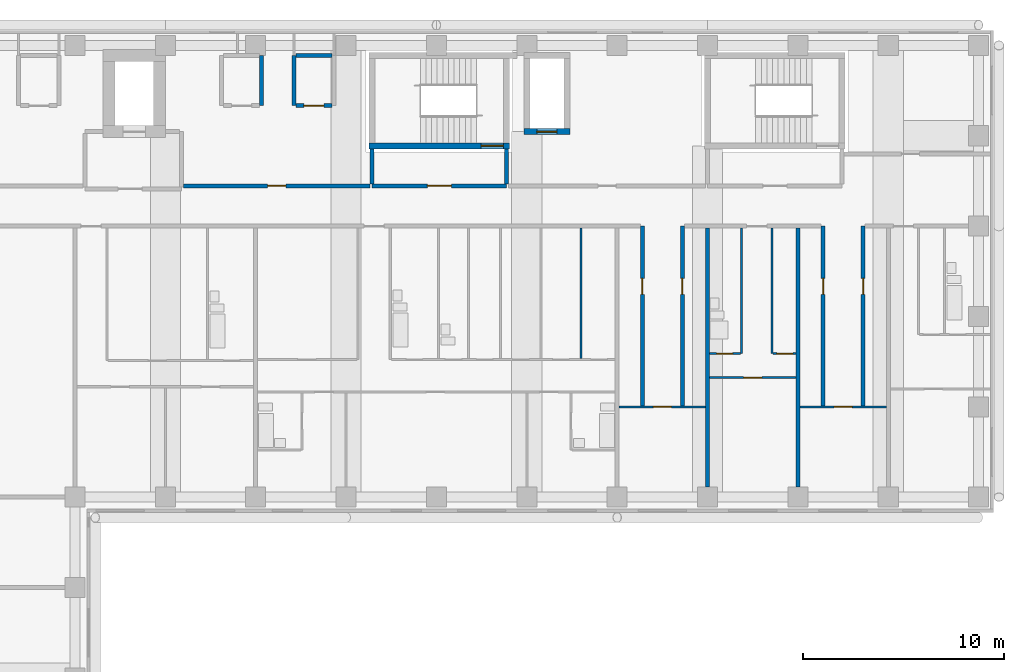
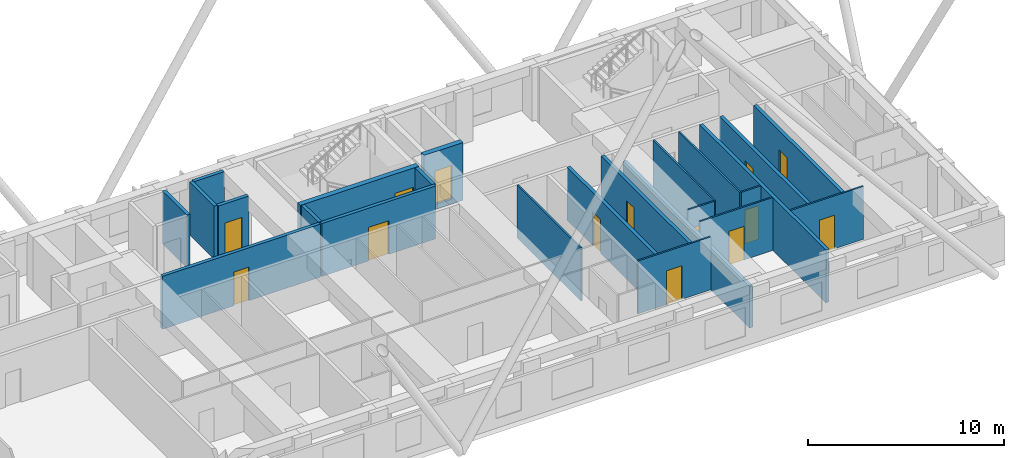
# One storey, part 8 of 13: 24 walls, 14 doors, 14 openings.
"""IFC4 building model written with IfcOpenShell, lengths in metres."""

from ifc_helpers import new_model, si_unit, direction, frame, frame_2d, origin, place, context, subcontext, project, spatial, rectangle, extrude, material, layer, layer_set, type_object, element, fill, save


model = new_model("IFC4")

# Units and contexts
model_context = context("Model", 3, precision=1e-05, world=origin(), true_north=direction((0.0, 1.0)))
body_context = subcontext(model_context, "Body", "Model", "MODEL_VIEW")
ifc_project = project(units=[si_unit("LENGTHUNIT", "METRE"), si_unit("AREAUNIT", "SQUARE_METRE"), si_unit("VOLUMEUNIT", "CUBIC_METRE"), si_unit("PLANEANGLEUNIT", "RADIAN"), si_unit("MASSUNIT", "GRAM", prefix="KILO")], contexts=[model_context])

# Site, building, storey
site_placement = place(None, origin())
site = spatial("IfcSite", under=ifc_project, at=site_placement, CompositionType="ELEMENT")
building_placement = place(site_placement, origin())
building = spatial("IfcBuilding", under=site, at=building_placement, Name="Firuza Court", CompositionType="ELEMENT")
storey_placement = place(building_placement, frame((0.0, 0.0, 119.60009765625)))
storey = spatial("IfcBuildingStorey", under=building, at=storey_placement, Name="L29", CompositionType="ELEMENT", Elevation=119.60009765625)

# Wall
ifc_material_1 = material(Name="Moisture-resistant gypsum board partition")
ifc_layer_1 = layer(ifc_material_1, 0.10009765625)
ifc_layer_set_1 = layer_set([ifc_layer_1], Name="Moisture-resistant gypsum board partition")
wall_type_1 = type_object("IfcWallType", Name="Bathroom partition 100", PredefinedType="PLUMBINGWALL", material=ifc_layer_set_1)
wall_1_placement = place(storey_placement, frame((55.699951171875, 43.14990234375, 0.0), z_axis=(0.0, 0.0, 1.0), x_axis=(0.0, 1.0, 0.0)))
element("IfcWall", 1, at=wall_1_placement, inside=storey, type_object=wall_type_1, Name="Bathroom partition 100 L29", PredefinedType="PLUMBINGWALL", context=body_context, shape_type="SweptSolid", body=[
    extrude(rectangle(XDim=6.25, YDim=0.10009765625, at=frame_2d((3.125, 0.0))), origin(), (0.0, 0.0, 1.0), 3.2998046875),
])

# Wall, opening, door
ifc_material_2 = material(Name="Concrete C60/75", Category="concrete")
ifc_layer_2 = layer(ifc_material_2, 0.300048828125)
ifc_layer_set_2 = layer_set([ifc_layer_2], Name="Concrete C60/75")
wall_type_2 = type_object("IfcWallType", Name="Core wall 300 C60/75", PredefinedType="SHEAR", material=ifc_layer_set_2)
wall_2_placement = place(storey_placement, frame((37.14990234375, 53.5, -0.300048828125), z_axis=(0.0, 0.0, 1.0), x_axis=(1.0, 0.0, 0.0)))
wall_2 = element("IfcWall", 2, at=wall_2_placement, inside=storey, type_object=wall_type_2, Name="Core wall stair L29", PredefinedType="SHEAR", context=body_context, shape_type="SweptSolid", body=[
    extrude(rectangle(XDim=7.0, YDim=0.300048828125, at=frame_2d((3.5, 0.0))), origin(), (0.0, 0.0, 1.0), 3.599853515625),
])
opening_1_placement = place(wall_2_placement, frame((5.580078125, 0.0, 0.300048828125)))
opening_1 = element("IfcOpeningElement", 3, at=opening_1_placement, cuts=wall_2, Name="Opening D29012", PredefinedType="OPENING", context=body_context, shape_type="SweptSolid", body=[
    extrude(rectangle(XDim=1.10009765625, YDim=2.10009765625, at=frame_2d((0.550048828125, 1.050048828125))), frame((0.0, 0.162109375, 0.0), z_axis=(0.0, -1.0, 0.0), x_axis=(1.0, 0.0, 0.0)), (0.0, 0.0, 1.0), 0.323974609375),
])
ifc_material_3 = material(Name="Timber door leaf in hardwood frame", Category="wood")
door_type_1 = type_object("IfcDoorType", Name="Stair door 1100", OperationType="SINGLE_SWING_LEFT", PredefinedType="DOOR", material=ifc_material_3)
door_1_placement = place(opening_1_placement, origin())
door_1 = element("IfcDoor", 4, at=door_1_placement, inside=storey, type_object=door_type_1, Name="Stair door S1", OperationType="SINGLE_SWING_RIGHT", OverallHeight=2.10009765625, OverallWidth=1.10009765625, PredefinedType="DOOR", context=body_context, shape_type="SweptSolid", body=[
    extrude(rectangle(XDim=1.10009765625, YDim=2.10009765625, at=frame_2d((0.550048828125, 1.050048828125))), frame((0.0, 0.02490234375, 0.0), z_axis=(0.0, -1.0, 0.0), x_axis=(1.0, 0.0, 0.0)), (0.0, 0.0, 1.0), 0.050048828125),
])
fill(opening_1, door_1)

wall_3_placement = place(storey_placement, frame((44.85009765625, 54.199951171875, -0.300048828125), z_axis=(0.0, 0.0, 1.0), x_axis=(1.0, 0.0, 0.0)))
wall_3 = element("IfcWall", 5, at=wall_3_placement, inside=storey, type_object=wall_type_2, Name="Core wall riser L29", PredefinedType="SHEAR", context=body_context, shape_type="SweptSolid", body=[
    extrude(rectangle(XDim=2.2998046875, YDim=0.300048828125, at=frame_2d((1.14990234375, 0.0))), origin(), (0.0, 0.0, 1.0), 3.599853515625),
])
opening_2_placement = place(wall_3_placement, frame((0.64990234375, 0.0, 0.300048828125)))
opening_2 = element("IfcOpeningElement", 6, at=opening_2_placement, cuts=wall_3, Name="Opening D29010", PredefinedType="OPENING", context=body_context, shape_type="SweptSolid", body=[
    extrude(rectangle(XDim=1.0, YDim=2.10009765625, at=frame_2d((0.5, 1.050048828125))), frame((0.0, 0.162109375, 0.0), z_axis=(0.0, -1.0, 0.0), x_axis=(1.0, 0.0, 0.0)), (0.0, 0.0, 1.0), 0.323974609375),
])
ifc_material_4 = material(Name="Timber door leaf in hardwood frame", Category="wood")
door_type_2 = type_object("IfcDoorType", Name="Riser door 1000", OperationType="SINGLE_SWING_LEFT", PredefinedType="DOOR", material=ifc_material_4)
door_2_placement = place(opening_2_placement, origin())
door_2 = element("IfcDoor", 7, at=door_2_placement, inside=storey, type_object=door_type_2, Name="Riser door R3", OperationType="SINGLE_SWING_LEFT", OverallHeight=2.10009765625, OverallWidth=1.0, PredefinedType="DOOR", context=body_context, shape_type="SweptSolid", body=[
    extrude(rectangle(XDim=1.0, YDim=2.10009765625, at=frame_2d((0.5, 1.050048828125))), frame((0.0, 0.02490234375, 0.0), z_axis=(0.0, -1.0, 0.0), x_axis=(1.0, 0.0, 0.0)), (0.0, 0.0, 1.0), 0.050048828125),
])
fill(opening_2, door_2)

ifc_material_5 = material(Name="Blockwork, plastered both sides", Category="masonry")
ifc_layer_3 = layer(ifc_material_5, 0.199951171875)
ifc_layer_set_3 = layer_set([ifc_layer_3], Name="Blockwork, plastered both sides")
wall_type_3 = type_object("IfcWallType", Name="Corridor wall 200", PredefinedType="PARTITIONING", material=ifc_layer_set_3)
wall_4_placement = place(storey_placement, frame((50.75, 40.550048828125, 0.0), z_axis=(0.0, 0.0, 1.0), x_axis=(0.0, 1.0, 0.0)))
wall_4 = element("IfcWall", 8, at=wall_4_placement, inside=storey, type_object=wall_type_3, Name="Corridor wall 200 L29", PredefinedType="PARTITIONING", context=body_context, shape_type="SweptSolid", body=[
    extrude(rectangle(XDim=8.949951171875, YDim=0.199951171875, at=frame_2d((4.47509765625, 0.0))), origin(), (0.0, 0.0, 1.0), 3.2998046875),
])
opening_3_placement = place(wall_4_placement, frame((5.550048828125, 0.0, 0.0)))
opening_3 = element("IfcOpeningElement", 9, at=opening_3_placement, cuts=wall_4, Name="Opening D29042", PredefinedType="OPENING", context=body_context, shape_type="SweptSolid", body=[
    extrude(rectangle(XDim=0.800048828125, YDim=2.10009765625, at=frame_2d((0.39990234375, 1.050048828125))), frame((0.0, 0.11181640625, 0.0), z_axis=(0.0, -1.0, 0.0), x_axis=(1.0, 0.0, 0.0)), (0.0, 0.0, 1.0), 0.223876953125),
])
ifc_material_6 = material(Name="Timber door leaf in hardwood frame", Category="wood")
door_type_3 = type_object("IfcDoorType", Name="Room door 800 EI 30", OperationType="SINGLE_SWING_LEFT", PredefinedType="DOOR", material=ifc_material_6)
door_3_placement = place(opening_3_placement, origin())
door_3 = element("IfcDoor", 10, at=door_3_placement, inside=storey, type_object=door_type_3, Name="Store door", OperationType="SINGLE_SWING_RIGHT", OverallHeight=2.10009765625, OverallWidth=0.800048828125, PredefinedType="DOOR", context=body_context, shape_type="SweptSolid", body=[
    extrude(rectangle(XDim=0.800048828125, YDim=2.10009765625, at=frame_2d((0.39990234375, 1.050048828125))), frame((0.0, 0.02490234375, 0.0), z_axis=(0.0, -1.0, 0.0), x_axis=(1.0, 0.0, 0.0)), (0.0, 0.0, 1.0), 0.050048828125),
])
fill(opening_3, door_3)

wall_5_placement = place(storey_placement, frame((52.75, 40.550048828125, 0.0), z_axis=(0.0, 0.0, 1.0), x_axis=(0.0, 1.0, 0.0)))
wall_5 = element("IfcWall", 11, at=wall_5_placement, inside=storey, type_object=wall_type_3, Name="Corridor wall 200 L29", PredefinedType="PARTITIONING", context=body_context, shape_type="SweptSolid", body=[
    extrude(rectangle(XDim=8.949951171875, YDim=0.199951171875, at=frame_2d((4.47509765625, 0.0))), origin(), (0.0, 0.0, 1.0), 3.2998046875),
])
opening_4_placement = place(wall_5_placement, frame((5.550048828125, 0.0, 0.0)))
opening_4 = element("IfcOpeningElement", 12, at=opening_4_placement, cuts=wall_5, Name="Opening D29043", PredefinedType="OPENING", context=body_context, shape_type="SweptSolid", body=[
    extrude(rectangle(XDim=0.800048828125, YDim=2.10009765625, at=frame_2d((0.39990234375, 1.050048828125))), frame((0.0, 0.11181640625, 0.0), z_axis=(0.0, -1.0, 0.0), x_axis=(1.0, 0.0, 0.0)), (0.0, 0.0, 1.0), 0.223876953125),
])
door_4_placement = place(opening_4_placement, frame((0.800048828125, 0.0, 0.0), z_axis=(0.0, 0.0, 1.0), x_axis=(-1.0, 0.0, 0.0)))
door_4 = element("IfcDoor", 13, at=door_4_placement, inside=storey, type_object=door_type_3, Name="Store door", OperationType="SINGLE_SWING_LEFT", OverallHeight=2.10009765625, OverallWidth=0.800048828125, PredefinedType="DOOR", context=body_context, shape_type="SweptSolid", body=[
    extrude(rectangle(XDim=0.800048828125, YDim=2.10009765625, at=frame_2d((0.39990234375, 1.050048828125))), frame((0.0, 0.02490234375, 0.0), z_axis=(0.0, -1.0, 0.0), x_axis=(1.0, 0.0, 0.0)), (0.0, 0.0, 1.0), 0.050048828125),
])
fill(opening_4, door_4)

wall_6_placement = place(storey_placement, frame((59.75, 40.550048828125, 0.0), z_axis=(0.0, 0.0, 1.0), x_axis=(0.0, 1.0, 0.0)))
wall_6 = element("IfcWall", 14, at=wall_6_placement, inside=storey, type_object=wall_type_3, Name="Corridor wall 200 L29", PredefinedType="PARTITIONING", context=body_context, shape_type="SweptSolid", body=[
    extrude(rectangle(XDim=8.949951171875, YDim=0.199951171875, at=frame_2d((4.47509765625, 0.0))), origin(), (0.0, 0.0, 1.0), 3.2998046875),
])
opening_5_placement = place(wall_6_placement, frame((5.550048828125, 0.0, 0.0)))
opening_5 = element("IfcOpeningElement", 15, at=opening_5_placement, cuts=wall_6, Name="Opening D29044", PredefinedType="OPENING", context=body_context, shape_type="SweptSolid", body=[
    extrude(rectangle(XDim=0.800048828125, YDim=2.10009765625, at=frame_2d((0.39990234375, 1.050048828125))), frame((0.0, 0.11181640625, 0.0), z_axis=(0.0, -1.0, 0.0), x_axis=(1.0, 0.0, 0.0)), (0.0, 0.0, 1.0), 0.223876953125),
])
door_5_placement = place(opening_5_placement, origin())
door_5 = element("IfcDoor", 16, at=door_5_placement, inside=storey, type_object=door_type_3, Name="Store door", OperationType="SINGLE_SWING_RIGHT", OverallHeight=2.10009765625, OverallWidth=0.800048828125, PredefinedType="DOOR", context=body_context, shape_type="SweptSolid", body=[
    extrude(rectangle(XDim=0.800048828125, YDim=2.10009765625, at=frame_2d((0.39990234375, 1.050048828125))), frame((0.0, 0.02490234375, 0.0), z_axis=(0.0, -1.0, 0.0), x_axis=(1.0, 0.0, 0.0)), (0.0, 0.0, 1.0), 0.050048828125),
])
fill(opening_5, door_5)

wall_7_placement = place(storey_placement, frame((61.75, 40.550048828125, 0.0), z_axis=(0.0, 0.0, 1.0), x_axis=(0.0, 1.0, 0.0)))
wall_7 = element("IfcWall", 17, at=wall_7_placement, inside=storey, type_object=wall_type_3, Name="Corridor wall 200 L29", PredefinedType="PARTITIONING", context=body_context, shape_type="SweptSolid", body=[
    extrude(rectangle(XDim=8.949951171875, YDim=0.199951171875, at=frame_2d((4.47509765625, 0.0))), origin(), (0.0, 0.0, 1.0), 3.2998046875),
])
opening_6_placement = place(wall_7_placement, frame((5.550048828125, 0.0, 0.0)))
opening_6 = element("IfcOpeningElement", 18, at=opening_6_placement, cuts=wall_7, Name="Opening D29045", PredefinedType="OPENING", context=body_context, shape_type="SweptSolid", body=[
    extrude(rectangle(XDim=0.800048828125, YDim=2.10009765625, at=frame_2d((0.39990234375, 1.050048828125))), frame((0.0, 0.11181640625, 0.0), z_axis=(0.0, -1.0, 0.0), x_axis=(1.0, 0.0, 0.0)), (0.0, 0.0, 1.0), 0.223876953125),
])
door_6_placement = place(opening_6_placement, frame((0.800048828125, 0.0, 0.0), z_axis=(0.0, 0.0, 1.0), x_axis=(-1.0, 0.0, 0.0)))
door_6 = element("IfcDoor", 19, at=door_6_placement, inside=storey, type_object=door_type_3, Name="Store door", OperationType="SINGLE_SWING_LEFT", OverallHeight=2.10009765625, OverallWidth=0.800048828125, PredefinedType="DOOR", context=body_context, shape_type="SweptSolid", body=[
    extrude(rectangle(XDim=0.800048828125, YDim=2.10009765625, at=frame_2d((0.39990234375, 1.050048828125))), frame((0.0, 0.02490234375, 0.0), z_axis=(0.0, -1.0, 0.0), x_axis=(1.0, 0.0, 0.0)), (0.0, 0.0, 1.0), 0.050048828125),
])
fill(opening_6, door_6)

wall_8_placement = place(storey_placement, frame((27.89990234375, 51.5, 0.0), z_axis=(0.0, 0.0, 1.0), x_axis=(1.0, 0.0, 0.0)))
wall_8 = element("IfcWall", 20, at=wall_8_placement, inside=storey, type_object=wall_type_3, Name="Corridor wall 200 L29", PredefinedType="PARTITIONING", context=body_context, shape_type="SweptSolid", body=[
    extrude(rectangle(XDim=9.300048828125, YDim=0.199951171875, at=frame_2d((4.64990234375, 0.0))), origin(), (0.0, 0.0, 1.0), 3.2998046875),
])
opening_7_placement = place(wall_8_placement, frame((4.199951171875, 0.0, 0.0)))
opening_7 = element("IfcOpeningElement", 21, at=opening_7_placement, cuts=wall_8, Name="Opening D29072", PredefinedType="OPENING", context=body_context, shape_type="SweptSolid", body=[
    extrude(rectangle(XDim=0.89990234375, YDim=2.10009765625, at=frame_2d((0.449951171875, 1.050048828125))), frame((0.0, 0.11181640625, 0.0), z_axis=(0.0, -1.0, 0.0), x_axis=(1.0, 0.0, 0.0)), (0.0, 0.0, 1.0), 0.223876953125),
])
ifc_material_7 = material(Name="Timber door leaf in hardwood frame", Category="wood")
door_type_4 = type_object("IfcDoorType", Name="Room door 900 EI 30", OperationType="SINGLE_SWING_LEFT", PredefinedType="DOOR", material=ifc_material_7)
door_7_placement = place(opening_7_placement, origin())
door_7 = element("IfcDoor", 22, at=door_7_placement, inside=storey, type_object=door_type_4, Name="Meeting room door", OperationType="SINGLE_SWING_LEFT", OverallHeight=2.10009765625, OverallWidth=0.89990234375, PredefinedType="DOOR", context=body_context, shape_type="SweptSolid", body=[
    extrude(rectangle(XDim=0.89990234375, YDim=2.10009765625, at=frame_2d((0.449951171875, 1.050048828125))), frame((0.0, 0.02490234375, 0.0), z_axis=(0.0, -1.0, 0.0), x_axis=(1.0, 0.0, 0.0)), (0.0, 0.0, 1.0), 0.050048828125),
])
fill(opening_7, door_7)

ifc_material_8 = material(Name="Timber stud partition, plasterboard both sides", Category="wood")
ifc_layer_4 = layer(ifc_material_8, 0.10009765625)
ifc_layer_set_4 = layer_set([ifc_layer_4], Name="Timber stud partition, plasterboard both sides")
wall_type_4 = type_object("IfcWallType", Name="Partition wall 100", PredefinedType="PARTITIONING", material=ifc_layer_set_4)
wall_9_placement = place(storey_placement, frame((49.60009765625, 40.5, 0.0), z_axis=(0.0, 0.0, 1.0), x_axis=(1.0, 0.0, 0.0)))
wall_9 = element("IfcWall", 23, at=wall_9_placement, inside=storey, type_object=wall_type_4, Name="Partition wall 100 L29", PredefinedType="PARTITIONING", context=body_context, shape_type="SweptSolid", body=[
    extrude(rectangle(XDim=4.2998046875, YDim=0.10009765625, at=frame_2d((2.14990234375, 0.0))), origin(), (0.0, 0.0, 1.0), 3.2998046875),
])
opening_8_placement = place(wall_9_placement, frame((1.699951171875, 0.0, 0.0)))
opening_8 = element("IfcOpeningElement", 24, at=opening_8_placement, cuts=wall_9, Name="Opening D29040", PredefinedType="OPENING", context=body_context, shape_type="SweptSolid", body=[
    extrude(rectangle(XDim=0.89990234375, YDim=2.10009765625, at=frame_2d((0.449951171875, 1.050048828125))), frame((0.0, 0.06201171875, 0.0), z_axis=(0.0, -1.0, 0.0), x_axis=(1.0, 0.0, 0.0)), (0.0, 0.0, 1.0), 0.1240234375),
])
ifc_material_9 = material(Name="Timber door leaf in hardwood frame", Category="wood")
door_type_5 = type_object("IfcDoorType", Name="Room door 900", OperationType="SINGLE_SWING_LEFT", PredefinedType="DOOR", material=ifc_material_9)
door_8_placement = place(opening_8_placement, origin())
door_8 = element("IfcDoor", 25, at=door_8_placement, inside=storey, type_object=door_type_5, Name="Sky lounge door", OperationType="SINGLE_SWING_LEFT", OverallHeight=2.10009765625, OverallWidth=0.89990234375, PredefinedType="DOOR", context=body_context, shape_type="SweptSolid", body=[
    extrude(rectangle(XDim=0.89990234375, YDim=2.10009765625, at=frame_2d((0.449951171875, 1.050048828125))), frame((0.0, 0.02490234375, 0.0), z_axis=(0.0, -1.0, 0.0), x_axis=(1.0, 0.0, 0.0)), (0.0, 0.0, 1.0), 0.050048828125),
])
fill(opening_8, door_8)

wall_10_placement = place(storey_placement, frame((58.60009765625, 40.5, 0.0), z_axis=(0.0, 0.0, 1.0), x_axis=(1.0, 0.0, 0.0)))
wall_10 = element("IfcWall", 26, at=wall_10_placement, inside=storey, type_object=wall_type_4, Name="Partition wall 100 L29", PredefinedType="PARTITIONING", context=body_context, shape_type="SweptSolid", body=[
    extrude(rectangle(XDim=4.2998046875, YDim=0.10009765625, at=frame_2d((2.14990234375, 0.0))), origin(), (0.0, 0.0, 1.0), 3.2998046875),
])
opening_9_placement = place(wall_10_placement, frame((1.699951171875, 0.0, 0.0)))
opening_9 = element("IfcOpeningElement", 27, at=opening_9_placement, cuts=wall_10, Name="Opening D29041", PredefinedType="OPENING", context=body_context, shape_type="SweptSolid", body=[
    extrude(rectangle(XDim=0.89990234375, YDim=2.10009765625, at=frame_2d((0.449951171875, 1.050048828125))), frame((0.0, 0.06201171875, 0.0), z_axis=(0.0, -1.0, 0.0), x_axis=(1.0, 0.0, 0.0)), (0.0, 0.0, 1.0), 0.1240234375),
])
door_9_placement = place(opening_9_placement, origin())
door_9 = element("IfcDoor", 28, at=door_9_placement, inside=storey, type_object=door_type_5, Name="Residents' lounge door", OperationType="SINGLE_SWING_LEFT", OverallHeight=2.10009765625, OverallWidth=0.89990234375, PredefinedType="DOOR", context=body_context, shape_type="SweptSolid", body=[
    extrude(rectangle(XDim=0.89990234375, YDim=2.10009765625, at=frame_2d((0.449951171875, 1.050048828125))), frame((0.0, 0.02490234375, 0.0), z_axis=(0.0, -1.0, 0.0), x_axis=(1.0, 0.0, 0.0)), (0.0, 0.0, 1.0), 0.050048828125),
])
fill(opening_9, door_9)

wall_11_placement = place(storey_placement, frame((54.10009765625, 41.949951171875, 0.0), z_axis=(0.0, 0.0, 1.0), x_axis=(1.0, 0.0, 0.0)))
wall_11 = element("IfcWall", 29, at=wall_11_placement, inside=storey, type_object=wall_type_4, Name="Partition wall 100 L29", PredefinedType="PARTITIONING", context=body_context, shape_type="SweptSolid", body=[
    extrude(rectangle(XDim=4.2998046875, YDim=0.10009765625, at=frame_2d((2.14990234375, 0.0))), origin(), (0.0, 0.0, 1.0), 3.2998046875),
])
opening_10_placement = place(wall_11_placement, frame((1.699951171875, 0.0, 0.0)))
opening_10 = element("IfcOpeningElement", 30, at=opening_10_placement, cuts=wall_11, Name="Opening D29052", PredefinedType="OPENING", context=body_context, shape_type="SweptSolid", body=[
    extrude(rectangle(XDim=0.89990234375, YDim=2.10009765625, at=frame_2d((0.449951171875, 1.050048828125))), frame((0.0, 0.06201171875, 0.0), z_axis=(0.0, -1.0, 0.0), x_axis=(1.0, 0.0, 0.0)), (0.0, 0.0, 1.0), 0.1240234375),
])
door_10_placement = place(opening_10_placement, frame((0.89990234375, 0.0, 0.0), z_axis=(0.0, 0.0, 1.0), x_axis=(-1.0, 0.0, 0.0)))
door_10 = element("IfcDoor", 31, at=door_10_placement, inside=storey, type_object=door_type_5, Name="Studio room door", OperationType="SINGLE_SWING_RIGHT", OverallHeight=2.10009765625, OverallWidth=0.89990234375, PredefinedType="DOOR", context=body_context, shape_type="SweptSolid", body=[
    extrude(rectangle(XDim=0.89990234375, YDim=2.10009765625, at=frame_2d((0.449951171875, 1.050048828125))), frame((0.0, 0.02490234375, 0.0), z_axis=(0.0, -1.0, 0.0), x_axis=(1.0, 0.0, 0.0)), (0.0, 0.0, 1.0), 0.050048828125),
])
fill(opening_10, door_10)

# Wall
wall_12_placement = place(storey_placement, frame((47.699951171875, 42.89990234375, 0.0), z_axis=(0.0, 0.0, 1.0), x_axis=(0.0, 1.0, 0.0)))
element("IfcWall", 32, at=wall_12_placement, inside=storey, type_object=wall_type_4, Name="Partition wall 100 L29", PredefinedType="PARTITIONING", context=body_context, shape_type="SweptSolid", body=[
    extrude(rectangle(XDim=6.5, YDim=0.10009765625, at=frame_2d((3.25, 0.0))), origin(), (0.0, 0.0, 1.0), 3.2998046875),
])

# Wall, opening, door
wall_13_placement = place(storey_placement, frame((54.10009765625, 43.14990234375, 0.0), z_axis=(0.0, 0.0, 1.0), x_axis=(1.0, 0.0, 0.0)))
wall_13 = element("IfcWall", 33, at=wall_13_placement, inside=storey, type_object=wall_type_4, Name="Partition wall 100 L29", PredefinedType="PARTITIONING", context=body_context, shape_type="SweptSolid", body=[
    extrude(rectangle(XDim=1.5498046875, YDim=0.10009765625, at=frame_2d((0.77490234375, 0.0))), origin(), (0.0, 0.0, 1.0), 3.2998046875),
])
opening_11_placement = place(wall_13_placement, frame((0.35009765625, 0.0, 0.0)))
opening_11 = element("IfcOpeningElement", 34, at=opening_11_placement, cuts=wall_13, Name="Opening D29062", PredefinedType="OPENING", context=body_context, shape_type="SweptSolid", body=[
    extrude(rectangle(XDim=0.800048828125, YDim=2.10009765625, at=frame_2d((0.39990234375, 1.050048828125))), frame((0.0, 0.06201171875, 0.0), z_axis=(0.0, -1.0, 0.0), x_axis=(1.0, 0.0, 0.0)), (0.0, 0.0, 1.0), 0.1240234375),
])
ifc_material_10 = material(Name="Timber door leaf in hardwood frame", Category="wood")
door_type_6 = type_object("IfcDoorType", Name="Bathroom door 800", OperationType="SINGLE_SWING_LEFT", PredefinedType="DOOR", material=ifc_material_10)
door_11_placement = place(opening_11_placement, origin())
door_11 = element("IfcDoor", 35, at=door_11_placement, inside=storey, type_object=door_type_6, Name="Bathroom door", OperationType="SINGLE_SWING_LEFT", OverallHeight=2.10009765625, OverallWidth=0.800048828125, PredefinedType="DOOR", context=body_context, shape_type="SweptSolid", body=[
    extrude(rectangle(XDim=0.800048828125, YDim=2.10009765625, at=frame_2d((0.39990234375, 1.050048828125))), frame((0.0, 0.02490234375, 0.0), z_axis=(0.0, -1.0, 0.0), x_axis=(1.0, 0.0, 0.0)), (0.0, 0.0, 1.0), 0.050048828125),
])
fill(opening_11, door_11)

# Wall
wall_14_placement = place(storey_placement, frame((57.199951171875, 43.14990234375, 0.0), z_axis=(0.0, 0.0, 1.0), x_axis=(0.0, 1.0, 0.0)))
element("IfcWall", 36, at=wall_14_placement, inside=storey, type_object=wall_type_4, Name="Partition wall 100 L29", PredefinedType="PARTITIONING", context=body_context, shape_type="SweptSolid", body=[
    extrude(rectangle(XDim=6.25, YDim=0.10009765625, at=frame_2d((3.125, 0.0))), origin(), (0.0, 0.0, 1.0), 3.2998046875),
])

# Wall, opening, door
wall_15_placement = place(storey_placement, frame((57.25, 43.14990234375, 0.0), z_axis=(0.0, 0.0, 1.0), x_axis=(1.0, 0.0, 0.0)))
wall_15 = element("IfcWall", 37, at=wall_15_placement, inside=storey, type_object=wall_type_4, Name="Partition wall 100 L29", PredefinedType="PARTITIONING", context=body_context, shape_type="SweptSolid", body=[
    extrude(rectangle(XDim=1.14990234375, YDim=0.10009765625, at=frame_2d((0.574951171875, 0.0))), origin(), (0.0, 0.0, 1.0), 3.2998046875),
])
opening_12_placement = place(wall_15_placement, frame((0.199951171875, 0.0, 0.0)))
opening_12 = element("IfcOpeningElement", 38, at=opening_12_placement, cuts=wall_15, Name="Opening D29063", PredefinedType="OPENING", context=body_context, shape_type="SweptSolid", body=[
    extrude(rectangle(XDim=0.800048828125, YDim=2.10009765625, at=frame_2d((0.39990234375, 1.050048828125))), frame((0.0, 0.06201171875, 0.0), z_axis=(0.0, -1.0, 0.0), x_axis=(1.0, 0.0, 0.0)), (0.0, 0.0, 1.0), 0.1240234375),
])
ifc_material_11 = material(Name="Timber door leaf in hardwood frame", Category="wood")
door_type_7 = type_object("IfcDoorType", Name="Room door 800", OperationType="SINGLE_SWING_LEFT", PredefinedType="DOOR", material=ifc_material_11)
door_12_placement = place(opening_12_placement, origin())
door_12 = element("IfcDoor", 39, at=door_12_placement, inside=storey, type_object=door_type_7, Name="Kitchen door", OperationType="SINGLE_SWING_LEFT", OverallHeight=2.10009765625, OverallWidth=0.800048828125, PredefinedType="DOOR", context=body_context, shape_type="SweptSolid", body=[
    extrude(rectangle(XDim=0.800048828125, YDim=2.10009765625, at=frame_2d((0.39990234375, 1.050048828125))), frame((0.0, 0.02490234375, 0.0), z_axis=(0.0, -1.0, 0.0), x_axis=(1.0, 0.0, 0.0)), (0.0, 0.0, 1.0), 0.050048828125),
])
fill(opening_12, door_12)

# Walls
ifc_layer_5 = layer(ifc_material_5, 0.199951171875)
ifc_layer_set_5 = layer_set([ifc_layer_5], Name="Blockwork, plastered both sides")
wall_type_5 = type_object("IfcWallType", Name="Party wall 200", PredefinedType="PARTITIONING", material=ifc_layer_set_5)
wall_16_placement = place(storey_placement, frame((54.0, 36.5, 0.0), z_axis=(0.0, 0.0, 1.0), x_axis=(0.0, 1.0, 0.0)))
element("IfcWall", 40, at=wall_16_placement, inside=storey, type_object=wall_type_5, Name="Party wall 200 L29", PredefinedType="PARTITIONING", context=body_context, shape_type="SweptSolid", body=[
    extrude(rectangle(XDim=12.89990234375, YDim=0.199951171875, at=frame_2d((6.449951171875, 0.0))), origin(), (0.0, 0.0, 1.0), 2.599853515625),
])
wall_17_placement = place(storey_placement, frame((58.5, 36.5, 0.0), z_axis=(0.0, 0.0, 1.0), x_axis=(0.0, 1.0, 0.0)))
element("IfcWall", 41, at=wall_17_placement, inside=storey, type_object=wall_type_5, Name="Party wall 200 L29", PredefinedType="PARTITIONING", context=body_context, shape_type="SweptSolid", body=[
    extrude(rectangle(XDim=12.89990234375, YDim=0.199951171875, at=frame_2d((6.449951171875, 0.0))), origin(), (0.0, 0.0, 1.0), 3.2998046875),
])
ifc_material_12 = material(Name="Blockwork, fire-rated", Category="masonry")
ifc_layer_6 = layer(ifc_material_12, 0.199951171875)
ifc_layer_set_6 = layer_set([ifc_layer_6], Name="Blockwork, fire-rated")
wall_type_6 = type_object("IfcWallType", Name="Plant room wall 200", PredefinedType="PARTITIONING", material=ifc_layer_set_6)
for number, where, z_axis, x_axis, name in (
    (42, (31.800048828125, 55.5, 0.0), (0.0, 0.0, 1.0), (0.0, 1.0, 0.0), "Plant room wall 200 L29"),
    (43, (33.39990234375, 55.5, 0.0), (0.0, 0.0, 1.0), (0.0, 1.0, 0.0), "Plant room wall 200 L29"),
):
    element("IfcWall", number, at=place(storey_placement, frame(where, z_axis=z_axis, x_axis=x_axis)), inside=storey, type_object=wall_type_6, Name=name, PredefinedType="PARTITIONING", context=body_context, shape_type="SweptSolid", body=[
        extrude(rectangle(XDim=2.5, YDim=0.199951171875, at=frame_2d((1.25, 0.0))), origin(), (0.0, 0.0, 1.0), 3.2998046875),
    ])

# Wall, opening, door
wall_18_placement = place(storey_placement, frame((33.5, 55.5, 0.0), z_axis=(0.0, 0.0, 1.0), x_axis=(1.0, 0.0, 0.0)))
wall_18 = element("IfcWall", 44, at=wall_18_placement, inside=storey, type_object=wall_type_6, Name="Plant room wall 200 L29", PredefinedType="PARTITIONING", context=body_context, shape_type="SweptSolid", body=[
    extrude(rectangle(XDim=1.800048828125, YDim=0.199951171875, at=frame_2d((0.89990234375, 0.0))), origin(), (0.0, 0.0, 1.0), 3.2998046875),
])
opening_13_placement = place(wall_18_placement, frame((0.39990234375, 0.0, 0.0)))
opening_13 = element("IfcOpeningElement", 45, at=opening_13_placement, cuts=wall_18, Name="Opening D29079", PredefinedType="OPENING", context=body_context, shape_type="SweptSolid", body=[
    extrude(rectangle(XDim=1.0, YDim=2.10009765625, at=frame_2d((0.5, 1.050048828125))), frame((0.0, 0.11181640625, 0.0), z_axis=(0.0, -1.0, 0.0), x_axis=(1.0, 0.0, 0.0)), (0.0, 0.0, 1.0), 0.223876953125),
])
door_13_placement = place(opening_13_placement, origin())
door_13 = element("IfcDoor", 46, at=door_13_placement, inside=storey, type_object=door_type_2, Name="Duct riser door", OperationType="SINGLE_SWING_LEFT", OverallHeight=2.10009765625, OverallWidth=1.0, PredefinedType="DOOR", context=body_context, shape_type="SweptSolid", body=[
    extrude(rectangle(XDim=1.0, YDim=2.10009765625, at=frame_2d((0.5, 1.050048828125))), frame((0.0, 0.02490234375, 0.0), z_axis=(0.0, -1.0, 0.0), x_axis=(1.0, 0.0, 0.0)), (0.0, 0.0, 1.0), 0.050048828125),
])
fill(opening_13, door_13)

# Wall
wall_19_placement = place(storey_placement, frame((33.5, 58.0, 0.0), z_axis=(0.0, 0.0, 1.0), x_axis=(1.0, 0.0, 0.0)))
element("IfcWall", 47, at=wall_19_placement, inside=storey, type_object=wall_type_6, Name="Plant room wall 200 L29", PredefinedType="PARTITIONING", context=body_context, shape_type="SweptSolid", body=[
    extrude(rectangle(XDim=1.800048828125, YDim=0.199951171875, at=frame_2d((0.89990234375, 0.0))), origin(), (0.0, 0.0, 1.0), 3.2998046875),
])

# Wall, opening, door
ifc_layer_7 = layer(ifc_material_12, 0.199951171875)
ifc_layer_set_7 = layer_set([ifc_layer_7], Name="Blockwork, fire-rated")
wall_type_7 = type_object("IfcWallType", Name="Shaft wall 200", PredefinedType="PARTITIONING", material=ifc_layer_set_7)
wall_20_placement = place(storey_placement, frame((37.300048828125, 51.5, 0.0), z_axis=(0.0, 0.0, 1.0), x_axis=(1.0, 0.0, 0.0)))
wall_20 = element("IfcWall", 48, at=wall_20_placement, inside=storey, type_object=wall_type_7, Name="Shaft wall 200 L29", PredefinedType="PARTITIONING", context=body_context, shape_type="SweptSolid", body=[
    extrude(rectangle(XDim=6.699951171875, YDim=0.199951171875, at=frame_2d((3.35009765625, 0.0))), origin(), (0.0, 0.0, 1.0), 3.2998046875),
])
opening_14_placement = place(wall_20_placement, frame((2.75, 0.0, 0.0)))
opening_14 = element("IfcOpeningElement", 49, at=opening_14_placement, cuts=wall_20, Name="Opening D29006", PredefinedType="OPENING", context=body_context, shape_type="SweptSolid", body=[
    extrude(rectangle(XDim=1.199951171875, YDim=2.10009765625, at=frame_2d((0.60009765625, 1.050048828125))), frame((0.0, 0.11181640625, 0.0), z_axis=(0.0, -1.0, 0.0), x_axis=(1.0, 0.0, 0.0)), (0.0, 0.0, 1.0), 0.223876953125),
])
ifc_material_13 = material(Name="Timber door leaf in hardwood frame", Category="wood")
door_type_8 = type_object("IfcDoorType", Name="Lobby door 1200", OperationType="SINGLE_SWING_LEFT", PredefinedType="DOOR", material=ifc_material_13)
door_14_placement = place(opening_14_placement, origin())
door_14 = element("IfcDoor", 50, at=door_14_placement, inside=storey, type_object=door_type_8, Name="Lobby door", OperationType="SINGLE_SWING_LEFT", OverallHeight=2.10009765625, OverallWidth=1.199951171875, PredefinedType="DOOR", context=body_context, shape_type="SweptSolid", body=[
    extrude(rectangle(XDim=1.199951171875, YDim=2.10009765625, at=frame_2d((0.60009765625, 1.050048828125))), frame((0.0, 0.02490234375, 0.0), z_axis=(0.0, -1.0, 0.0), x_axis=(1.0, 0.0, 0.0)), (0.0, 0.0, 1.0), 0.050048828125),
])
fill(opening_14, door_14)

# Walls
for number, where, z_axis, x_axis, name in (
    (51, (44.0, 51.60009765625, 0.0), (0.0, 0.0, 1.0), (0.0, 1.0, 0.0), "Shaft wall 200 L29"),
    (52, (37.300048828125, 51.60009765625, 0.0), (0.0, 0.0, 1.0), (0.0, 1.0, 0.0), "Shaft wall 200 L29"),
):
    element("IfcWall", number, at=place(storey_placement, frame(where, z_axis=z_axis, x_axis=x_axis)), inside=storey, type_object=wall_type_7, Name=name, PredefinedType="PARTITIONING", context=body_context, shape_type="SweptSolid", body=[
        extrude(rectangle(XDim=1.72998046875, YDim=0.199951171875, at=frame_2d((0.864990234375, 0.0))), origin(), (0.0, 0.0, 1.0), 3.2998046875),
    ])

save(model, "model.ifc")
